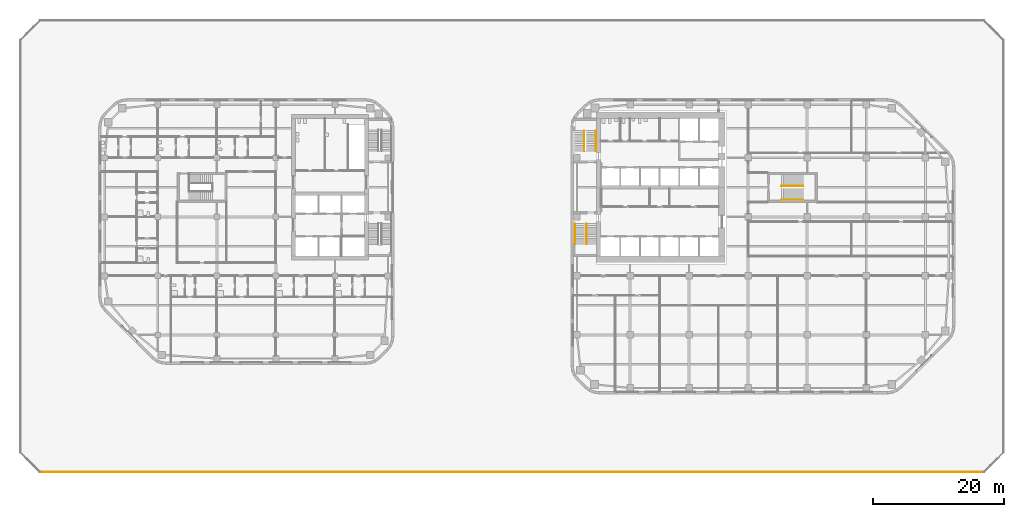
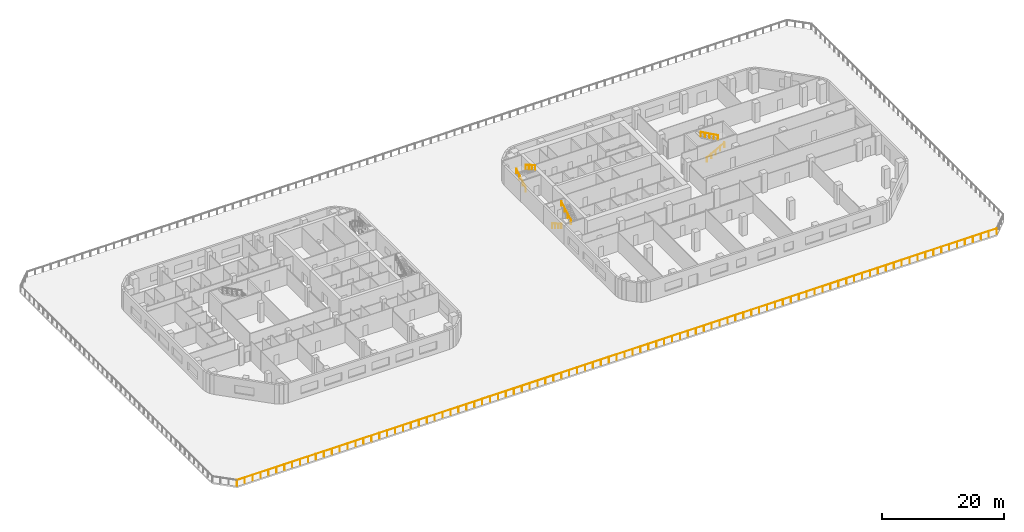
# One storey, part 16 of 18: 7 railings, 3 elements without a shape of their own.
"""IFC4 building model written with IfcOpenShell, lengths in metres."""

from ifc_helpers import new_model, si_unit, direction, frame, origin, origin_2d, place, context, subcontext, project, spatial, circle, extrude, material, type_object, element, aggregate, save


model = new_model("IFC4")

# Units and contexts
model_context = context("Model", 3, precision=1e-05, world=origin(), true_north=direction((0.0, 1.0)))
body_context = subcontext(model_context, "Body", "Model", "MODEL_VIEW")
ifc_project = project(units=[si_unit("LENGTHUNIT", "METRE"), si_unit("AREAUNIT", "SQUARE_METRE"), si_unit("VOLUMEUNIT", "CUBIC_METRE"), si_unit("PLANEANGLEUNIT", "RADIAN"), si_unit("MASSUNIT", "GRAM", prefix="KILO")], contexts=[model_context])

# Site, building, storey
site_placement = place(None, origin())
site = spatial("IfcSite", under=ifc_project, at=site_placement, CompositionType="ELEMENT")
building_placement = place(site_placement, origin())
building = spatial("IfcBuilding", under=site, at=building_placement, Name="Cinnabar Reach Civic Tower", CompositionType="ELEMENT")
storey_placement = place(building_placement, frame((0.0, 0.0, 26.0)))
storey = spatial("IfcBuildingStorey", under=building, at=storey_placement, Name="L05", CompositionType="ELEMENT", Elevation=26.0)

# Railing
ifc_material_1 = material(Name="Stainless steel", Category="steel")
railing_type_1 = type_object("IfcRailingType", Name="Facade terrace guard 1200", PredefinedType="GUARDRAIL", material=ifc_material_1)
railing_1_placement = place(storey_placement, frame((62.9586, -11.9, 0.0)))
element("IfcRailing", 1, at=railing_1_placement, inside=storey, type_object=railing_type_1, Name="Terrace guard", PredefinedType="GUARDRAIL", context=body_context, shape_type="SweptSolid", body=[
    extrude(circle(Radius=0.024, at=origin_2d()), frame((0.0, 0.0, 1.176), z_axis=(-1.0, 0.0, 0.0), x_axis=(0.0, -1.0, 0.0)), (0.0, 0.0, 1.0), 143.9172),
    extrude(circle(Radius=0.021, at=origin_2d()), origin(), (0.0, 0.0, 1.0), 1.152),
    extrude(circle(Radius=0.021, at=origin_2d()), frame((-1.4991, 0.0, 0.0)), (0.0, 0.0, 1.0), 1.152),
    extrude(circle(Radius=0.021, at=origin_2d()), frame((-2.9983, 0.0, 0.0)), (0.0, 0.0, 1.0), 1.152),
    extrude(circle(Radius=0.021, at=origin_2d()), frame((-4.4974, 0.0, 0.0)), (0.0, 0.0, 1.0), 1.152),
    extrude(circle(Radius=0.021, at=origin_2d()), frame((-5.9966, 0.0, 0.0)), (0.0, 0.0, 1.0), 1.152),
    extrude(circle(Radius=0.021, at=origin_2d()), frame((-7.4957, 0.0, 0.0)), (0.0, 0.0, 1.0), 1.152),
    extrude(circle(Radius=0.021, at=origin_2d()), frame((-8.9948, 0.0, 0.0)), (0.0, 0.0, 1.0), 1.152),
    extrude(circle(Radius=0.021, at=origin_2d()), frame((-10.494, 0.0, 0.0)), (0.0, 0.0, 1.0), 1.152),
    extrude(circle(Radius=0.021, at=origin_2d()), frame((-11.9931, 0.0, 0.0)), (0.0, 0.0, 1.0), 1.152),
    extrude(circle(Radius=0.021, at=origin_2d()), frame((-13.4922, 0.0, 0.0)), (0.0, 0.0, 1.0), 1.152),
    extrude(circle(Radius=0.021, at=origin_2d()), frame((-14.9914, 0.0, 0.0)), (0.0, 0.0, 1.0), 1.152),
    extrude(circle(Radius=0.021, at=origin_2d()), frame((-16.4905, 0.0, 0.0)), (0.0, 0.0, 1.0), 1.152),
    extrude(circle(Radius=0.021, at=origin_2d()), frame((-17.9897, 0.0, 0.0)), (0.0, 0.0, 1.0), 1.152),
    extrude(circle(Radius=0.021, at=origin_2d()), frame((-19.4888, 0.0, 0.0)), (0.0, 0.0, 1.0), 1.152),
    extrude(circle(Radius=0.021, at=origin_2d()), frame((-20.9879, 0.0, 0.0)), (0.0, 0.0, 1.0), 1.152),
    extrude(circle(Radius=0.021, at=origin_2d()), frame((-22.4871, 0.0, 0.0)), (0.0, 0.0, 1.0), 1.152),
    extrude(circle(Radius=0.021, at=origin_2d()), frame((-23.9862, 0.0, 0.0)), (0.0, 0.0, 1.0), 1.152),
    extrude(circle(Radius=0.021, at=origin_2d()), frame((-25.4853, 0.0, 0.0)), (0.0, 0.0, 1.0), 1.152),
    extrude(circle(Radius=0.021, at=origin_2d()), frame((-26.9845, 0.0, 0.0)), (0.0, 0.0, 1.0), 1.152),
    extrude(circle(Radius=0.021, at=origin_2d()), frame((-28.4836, 0.0, 0.0)), (0.0, 0.0, 1.0), 1.152),
    extrude(circle(Radius=0.021, at=origin_2d()), frame((-29.9828, 0.0, 0.0)), (0.0, 0.0, 1.0), 1.152),
    extrude(circle(Radius=0.021, at=origin_2d()), frame((-31.4819, 0.0, 0.0)), (0.0, 0.0, 1.0), 1.152),
    extrude(circle(Radius=0.021, at=origin_2d()), frame((-32.981, 0.0, 0.0)), (0.0, 0.0, 1.0), 1.152),
    extrude(circle(Radius=0.021, at=origin_2d()), frame((-34.4802, 0.0, 0.0)), (0.0, 0.0, 1.0), 1.152),
    extrude(circle(Radius=0.021, at=origin_2d()), frame((-35.9793, 0.0, 0.0)), (0.0, 0.0, 1.0), 1.152),
    extrude(circle(Radius=0.021, at=origin_2d()), frame((-37.4784, 0.0, 0.0)), (0.0, 0.0, 1.0), 1.152),
    extrude(circle(Radius=0.021, at=origin_2d()), frame((-38.9776, 0.0, 0.0)), (0.0, 0.0, 1.0), 1.152),
    extrude(circle(Radius=0.021, at=origin_2d()), frame((-40.4767, 0.0, 0.0)), (0.0, 0.0, 1.0), 1.152),
    extrude(circle(Radius=0.021, at=origin_2d()), frame((-41.9759, 0.0, 0.0)), (0.0, 0.0, 1.0), 1.152),
    extrude(circle(Radius=0.021, at=origin_2d()), frame((-43.475, 0.0, 0.0)), (0.0, 0.0, 1.0), 1.152),
    extrude(circle(Radius=0.021, at=origin_2d()), frame((-44.9741, 0.0, 0.0)), (0.0, 0.0, 1.0), 1.152),
    extrude(circle(Radius=0.021, at=origin_2d()), frame((-46.4733, 0.0, 0.0)), (0.0, 0.0, 1.0), 1.152),
    extrude(circle(Radius=0.021, at=origin_2d()), frame((-47.9724, 0.0, 0.0)), (0.0, 0.0, 1.0), 1.152),
    extrude(circle(Radius=0.021, at=origin_2d()), frame((-49.4715, 0.0, 0.0)), (0.0, 0.0, 1.0), 1.152),
    extrude(circle(Radius=0.021, at=origin_2d()), frame((-50.9707, 0.0, 0.0)), (0.0, 0.0, 1.0), 1.152),
    extrude(circle(Radius=0.021, at=origin_2d()), frame((-52.4698, 0.0, 0.0)), (0.0, 0.0, 1.0), 1.152),
    extrude(circle(Radius=0.021, at=origin_2d()), frame((-53.969, 0.0, 0.0)), (0.0, 0.0, 1.0), 1.152),
    extrude(circle(Radius=0.021, at=origin_2d()), frame((-55.4681, 0.0, 0.0)), (0.0, 0.0, 1.0), 1.152),
    extrude(circle(Radius=0.021, at=origin_2d()), frame((-56.9672, 0.0, 0.0)), (0.0, 0.0, 1.0), 1.152),
    extrude(circle(Radius=0.021, at=origin_2d()), frame((-58.4664, 0.0, 0.0)), (0.0, 0.0, 1.0), 1.152),
    extrude(circle(Radius=0.021, at=origin_2d()), frame((-59.9655, 0.0, 0.0)), (0.0, 0.0, 1.0), 1.152),
    extrude(circle(Radius=0.021, at=origin_2d()), frame((-61.4646, 0.0, 0.0)), (0.0, 0.0, 1.0), 1.152),
    extrude(circle(Radius=0.021, at=origin_2d()), frame((-62.9638, 0.0, 0.0)), (0.0, 0.0, 1.0), 1.152),
    extrude(circle(Radius=0.021, at=origin_2d()), frame((-64.4629, 0.0, 0.0)), (0.0, 0.0, 1.0), 1.152),
    extrude(circle(Radius=0.021, at=origin_2d()), frame((-65.9621, 0.0, 0.0)), (0.0, 0.0, 1.0), 1.152),
    extrude(circle(Radius=0.021, at=origin_2d()), frame((-67.4612, 0.0, 0.0)), (0.0, 0.0, 1.0), 1.152),
    extrude(circle(Radius=0.021, at=origin_2d()), frame((-68.9603, 0.0, 0.0)), (0.0, 0.0, 1.0), 1.152),
    extrude(circle(Radius=0.021, at=origin_2d()), frame((-70.4595, 0.0, 0.0)), (0.0, 0.0, 1.0), 1.152),
    extrude(circle(Radius=0.021, at=origin_2d()), frame((-71.9586, 0.0, 0.0)), (0.0, 0.0, 1.0), 1.152),
    extrude(circle(Radius=0.021, at=origin_2d()), frame((-73.4577, 0.0, 0.0)), (0.0, 0.0, 1.0), 1.152),
    extrude(circle(Radius=0.021, at=origin_2d()), frame((-74.9569, 0.0, 0.0)), (0.0, 0.0, 1.0), 1.152),
    extrude(circle(Radius=0.021, at=origin_2d()), frame((-76.456, 0.0, 0.0)), (0.0, 0.0, 1.0), 1.152),
    extrude(circle(Radius=0.021, at=origin_2d()), frame((-77.9552, 0.0, 0.0)), (0.0, 0.0, 1.0), 1.152),
    extrude(circle(Radius=0.021, at=origin_2d()), frame((-79.4543, 0.0, 0.0)), (0.0, 0.0, 1.0), 1.152),
    extrude(circle(Radius=0.021, at=origin_2d()), frame((-80.9534, 0.0, 0.0)), (0.0, 0.0, 1.0), 1.152),
    extrude(circle(Radius=0.021, at=origin_2d()), frame((-82.4526, 0.0, 0.0)), (0.0, 0.0, 1.0), 1.152),
    extrude(circle(Radius=0.021, at=origin_2d()), frame((-83.9517, 0.0, 0.0)), (0.0, 0.0, 1.0), 1.152),
    extrude(circle(Radius=0.021, at=origin_2d()), frame((-85.4508, 0.0, 0.0)), (0.0, 0.0, 1.0), 1.152),
    extrude(circle(Radius=0.021, at=origin_2d()), frame((-86.95, 0.0, 0.0)), (0.0, 0.0, 1.0), 1.152),
    extrude(circle(Radius=0.021, at=origin_2d()), frame((-88.4491, 0.0, 0.0)), (0.0, 0.0, 1.0), 1.152),
    extrude(circle(Radius=0.021, at=origin_2d()), frame((-89.9483, 0.0, 0.0)), (0.0, 0.0, 1.0), 1.152),
    extrude(circle(Radius=0.021, at=origin_2d()), frame((-91.4474, 0.0, 0.0)), (0.0, 0.0, 1.0), 1.152),
    extrude(circle(Radius=0.021, at=origin_2d()), frame((-92.9465, 0.0, 0.0)), (0.0, 0.0, 1.0), 1.152),
    extrude(circle(Radius=0.021, at=origin_2d()), frame((-94.4457, 0.0, 0.0)), (0.0, 0.0, 1.0), 1.152),
    extrude(circle(Radius=0.021, at=origin_2d()), frame((-95.9448, 0.0, 0.0)), (0.0, 0.0, 1.0), 1.152),
    extrude(circle(Radius=0.021, at=origin_2d()), frame((-97.4439, 0.0, 0.0)), (0.0, 0.0, 1.0), 1.152),
    extrude(circle(Radius=0.021, at=origin_2d()), frame((-98.9431, 0.0, 0.0)), (0.0, 0.0, 1.0), 1.152),
    extrude(circle(Radius=0.021, at=origin_2d()), frame((-100.4422, 0.0, 0.0)), (0.0, 0.0, 1.0), 1.152),
    extrude(circle(Radius=0.021, at=origin_2d()), frame((-101.9414, 0.0, 0.0)), (0.0, 0.0, 1.0), 1.152),
    extrude(circle(Radius=0.021, at=origin_2d()), frame((-103.4405, 0.0, 0.0)), (0.0, 0.0, 1.0), 1.152),
    extrude(circle(Radius=0.021, at=origin_2d()), frame((-104.9396, 0.0, 0.0)), (0.0, 0.0, 1.0), 1.152),
    extrude(circle(Radius=0.021, at=origin_2d()), frame((-106.4388, 0.0, 0.0)), (0.0, 0.0, 1.0), 1.152),
    extrude(circle(Radius=0.021, at=origin_2d()), frame((-107.9379, 0.0, 0.0)), (0.0, 0.0, 1.0), 1.152),
    extrude(circle(Radius=0.021, at=origin_2d()), frame((-109.437, 0.0, 0.0)), (0.0, 0.0, 1.0), 1.152),
    extrude(circle(Radius=0.021, at=origin_2d()), frame((-110.9362, 0.0, 0.0)), (0.0, 0.0, 1.0), 1.152),
    extrude(circle(Radius=0.021, at=origin_2d()), frame((-112.4353, 0.0, 0.0)), (0.0, 0.0, 1.0), 1.152),
    extrude(circle(Radius=0.021, at=origin_2d()), frame((-113.9344, 0.0, 0.0)), (0.0, 0.0, 1.0), 1.152),
    extrude(circle(Radius=0.021, at=origin_2d()), frame((-115.4336, 0.0, 0.0)), (0.0, 0.0, 1.0), 1.152),
    extrude(circle(Radius=0.021, at=origin_2d()), frame((-116.9327, 0.0, 0.0)), (0.0, 0.0, 1.0), 1.152),
    extrude(circle(Radius=0.021, at=origin_2d()), frame((-118.4319, 0.0, 0.0)), (0.0, 0.0, 1.0), 1.152),
    extrude(circle(Radius=0.021, at=origin_2d()), frame((-119.931, 0.0, 0.0)), (0.0, 0.0, 1.0), 1.152),
    extrude(circle(Radius=0.021, at=origin_2d()), frame((-121.4301, 0.0, 0.0)), (0.0, 0.0, 1.0), 1.152),
    extrude(circle(Radius=0.021, at=origin_2d()), frame((-122.9293, 0.0, 0.0)), (0.0, 0.0, 1.0), 1.152),
    extrude(circle(Radius=0.021, at=origin_2d()), frame((-124.4284, 0.0, 0.0)), (0.0, 0.0, 1.0), 1.152),
    extrude(circle(Radius=0.021, at=origin_2d()), frame((-125.9276, 0.0, 0.0)), (0.0, 0.0, 1.0), 1.152),
    extrude(circle(Radius=0.021, at=origin_2d()), frame((-127.4267, 0.0, 0.0)), (0.0, 0.0, 1.0), 1.152),
    extrude(circle(Radius=0.021, at=origin_2d()), frame((-128.9258, 0.0, 0.0)), (0.0, 0.0, 1.0), 1.152),
    extrude(circle(Radius=0.021, at=origin_2d()), frame((-130.425, 0.0, 0.0)), (0.0, 0.0, 1.0), 1.152),
    extrude(circle(Radius=0.021, at=origin_2d()), frame((-131.9241, 0.0, 0.0)), (0.0, 0.0, 1.0), 1.152),
    extrude(circle(Radius=0.021, at=origin_2d()), frame((-133.4232, 0.0, 0.0)), (0.0, 0.0, 1.0), 1.152),
    extrude(circle(Radius=0.021, at=origin_2d()), frame((-134.9224, 0.0, 0.0)), (0.0, 0.0, 1.0), 1.152),
    extrude(circle(Radius=0.021, at=origin_2d()), frame((-136.4215, 0.0, 0.0)), (0.0, 0.0, 1.0), 1.152),
    extrude(circle(Radius=0.021, at=origin_2d()), frame((-137.9207, 0.0, 0.0)), (0.0, 0.0, 1.0), 1.152),
    extrude(circle(Radius=0.021, at=origin_2d()), frame((-139.4198, 0.0, 0.0)), (0.0, 0.0, 1.0), 1.152),
    extrude(circle(Radius=0.021, at=origin_2d()), frame((-140.9189, 0.0, 0.0)), (0.0, 0.0, 1.0), 1.152),
    extrude(circle(Radius=0.021, at=origin_2d()), frame((-142.4181, 0.0, 0.0)), (0.0, 0.0, 1.0), 1.152),
    extrude(circle(Radius=0.021, at=origin_2d()), frame((-143.9172, 0.0, 0.0)), (0.0, 0.0, 1.0), 1.152),
])

# Stair, railings
ifc_material_2 = material(Name="Concrete C40/50", Category="concrete")
stair_type = type_object("IfcStairType", Name="T1 Exit stair, half-turn", PredefinedType="HALF_TURN_STAIR", material=ifc_material_2)
stair_1_placement = place(storey_placement, origin())
stair_1 = element("IfcStair", 2, at=stair_1_placement, inside=storey, type_object=stair_type, Name="Stair T1-S1", PredefinedType="HALF_TURN_STAIR")
ifc_material_3 = material(Name="Stainless steel tube", Category="steel")
railing_type_2 = type_object("IfcRailingType", Name="T1 Stair handrail, stainless tube 48", PredefinedType="HANDRAIL", material=ifc_material_3)
railing_2_placement = place(storey_placement, frame((0.6, 25.95, 0.1667)))
railing_2 = element("IfcRailing", 3, at=railing_2_placement, type_object=railing_type_2, Name="T1-S1 handrail 1", PredefinedType="HANDRAIL", context=body_context, shape_type="SweptSolid", body=[
    extrude(circle(Radius=0.024, at=origin_2d()), frame((0.0, 0.0, 0.876), z_axis=(0.0, -0.859296971757, 0.511476992962), x_axis=(1.0, 0.0, 0.0)), (0.0, 0.0, 1.0), 3.5843),
    extrude(circle(Radius=0.021, at=origin_2d()), origin(), (0.0, 0.0, 1.0), 0.852),
    extrude(circle(Radius=0.021, at=origin_2d()), frame((0.0, -1.0267, 0.6111)), (0.0, 0.0, 1.0), 0.852),
    extrude(circle(Radius=0.021, at=origin_2d()), frame((0.0, -2.0533, 1.2222)), (0.0, 0.0, 1.0), 0.852),
    extrude(circle(Radius=0.021, at=origin_2d()), frame((0.0, -3.08, 1.8333)), (0.0, 0.0, 1.0), 0.852),
])
railing_3_placement = place(storey_placement, frame((2.375, 22.87, 2.1667)))
railing_3 = element("IfcRailing", 4, at=railing_3_placement, type_object=railing_type_2, Name="T1-S1 handrail 2", PredefinedType="HANDRAIL", context=body_context, shape_type="SweptSolid", body=[
    extrude(circle(Radius=0.024, at=origin_2d()), frame((0.0, 0.0, 0.876), z_axis=(0.0, 0.859296971757, 0.511476992962), x_axis=(-1.0, 0.0, 0.0)), (0.0, 0.0, 1.0), 3.5843),
    extrude(circle(Radius=0.021, at=origin_2d()), origin(), (0.0, 0.0, 1.0), 0.852),
    extrude(circle(Radius=0.021, at=origin_2d()), frame((0.0, 1.0267, 0.6111)), (0.0, 0.0, 1.0), 0.852),
    extrude(circle(Radius=0.021, at=origin_2d()), frame((0.0, 2.0533, 1.2222)), (0.0, 0.0, 1.0), 0.852),
    extrude(circle(Radius=0.021, at=origin_2d()), frame((0.0, 3.08, 1.8333)), (0.0, 0.0, 1.0), 0.852),
])
aggregate(stair_1, [railing_2, railing_3])

stair_2_placement = place(storey_placement, origin())
stair_2 = element("IfcStair", 5, at=stair_2_placement, inside=storey, type_object=stair_type, Name="Stair T1-S2", PredefinedType="HALF_TURN_STAIR")
railing_4_placement = place(storey_placement, frame((2.025, 37.05, 0.1667)))
railing_4 = element("IfcRailing", 6, at=railing_4_placement, type_object=railing_type_2, Name="T1-S2 handrail 1", PredefinedType="HANDRAIL", context=body_context, shape_type="SweptSolid", body=[
    extrude(circle(Radius=0.024, at=origin_2d()), frame((0.0, 0.0, 0.876), z_axis=(0.0, 0.859296971757, 0.511476992962), x_axis=(-1.0, 0.0, 0.0)), (0.0, 0.0, 1.0), 3.5843),
    extrude(circle(Radius=0.021, at=origin_2d()), origin(), (0.0, 0.0, 1.0), 0.852),
    extrude(circle(Radius=0.021, at=origin_2d()), frame((0.0, 1.0267, 0.6111)), (0.0, 0.0, 1.0), 0.852),
    extrude(circle(Radius=0.021, at=origin_2d()), frame((0.0, 2.0533, 1.2222)), (0.0, 0.0, 1.0), 0.852),
    extrude(circle(Radius=0.021, at=origin_2d()), frame((0.0, 3.08, 1.8333)), (0.0, 0.0, 1.0), 0.852),
])
railing_5_placement = place(storey_placement, frame((3.8, 40.13, 2.1667)))
railing_5 = element("IfcRailing", 7, at=railing_5_placement, type_object=railing_type_2, Name="T1-S2 handrail 2", PredefinedType="HANDRAIL", context=body_context, shape_type="SweptSolid", body=[
    extrude(circle(Radius=0.024, at=origin_2d()), frame((0.0, 0.0, 0.876), z_axis=(0.0, -0.859296971757, 0.511476992962), x_axis=(1.0, 0.0, 0.0)), (0.0, 0.0, 1.0), 3.5843),
    extrude(circle(Radius=0.021, at=origin_2d()), origin(), (0.0, 0.0, 1.0), 0.852),
    extrude(circle(Radius=0.021, at=origin_2d()), frame((0.0, -1.0267, 0.6111)), (0.0, 0.0, 1.0), 0.852),
    extrude(circle(Radius=0.021, at=origin_2d()), frame((0.0, -2.0533, 1.2222)), (0.0, 0.0, 1.0), 0.852),
    extrude(circle(Radius=0.021, at=origin_2d()), frame((0.0, -3.08, 1.8333)), (0.0, 0.0, 1.0), 0.852),
])
aggregate(stair_2, [railing_4, railing_5])

stair_3_placement = place(storey_placement, origin())
stair_3 = element("IfcStair", 8, at=stair_3_placement, inside=storey, type_object=stair_type, Name="Stair T1-S3", PredefinedType="HALF_TURN_STAIR")
railing_6_placement = place(storey_placement, frame((32.05, 29.6, 0.1667)))
railing_6 = element("IfcRailing", 9, at=railing_6_placement, type_object=railing_type_2, Name="T1-S3 handrail 1", PredefinedType="HANDRAIL", context=body_context, shape_type="SweptSolid", body=[
    extrude(circle(Radius=0.024, at=origin_2d()), frame((0.0, 0.0, 0.876), z_axis=(0.874161024642, 0.0, 0.485636183781), x_axis=(0.0, 1.0, 0.0)), (0.0, 0.0, 1.0), 3.775),
    extrude(circle(Radius=0.021, at=origin_2d()), origin(), (0.0, 0.0, 1.0), 0.852),
    extrude(circle(Radius=0.021, at=origin_2d()), frame((0.825, 0.0, 0.4583)), (0.0, 0.0, 1.0), 0.852),
    extrude(circle(Radius=0.021, at=origin_2d()), frame((1.65, 0.0, 0.9167)), (0.0, 0.0, 1.0), 0.852),
    extrude(circle(Radius=0.021, at=origin_2d()), frame((2.475, 0.0, 1.375)), (0.0, 0.0, 1.0), 0.852),
    extrude(circle(Radius=0.021, at=origin_2d()), frame((3.3, 0.0, 1.8333)), (0.0, 0.0, 1.0), 0.852),
])
railing_7_placement = place(storey_placement, frame((35.35, 31.7, 2.1667)))
railing_7 = element("IfcRailing", 10, at=railing_7_placement, type_object=railing_type_2, Name="T1-S3 handrail 2", PredefinedType="HANDRAIL", context=body_context, shape_type="SweptSolid", body=[
    extrude(circle(Radius=0.024, at=origin_2d()), frame((0.0, 0.0, 0.876), z_axis=(-0.874161024642, 0.0, 0.485636183781), x_axis=(0.0, -1.0, 0.0)), (0.0, 0.0, 1.0), 3.775),
    extrude(circle(Radius=0.021, at=origin_2d()), origin(), (0.0, 0.0, 1.0), 0.852),
    extrude(circle(Radius=0.021, at=origin_2d()), frame((-0.825, 0.0, 0.4583)), (0.0, 0.0, 1.0), 0.852),
    extrude(circle(Radius=0.021, at=origin_2d()), frame((-1.65, 0.0, 0.9167)), (0.0, 0.0, 1.0), 0.852),
    extrude(circle(Radius=0.021, at=origin_2d()), frame((-2.475, 0.0, 1.375)), (0.0, 0.0, 1.0), 0.852),
    extrude(circle(Radius=0.021, at=origin_2d()), frame((-3.3, 0.0, 1.8333)), (0.0, 0.0, 1.0), 0.852),
])
aggregate(stair_3, [railing_6, railing_7])

save(model, "model.ifc")
